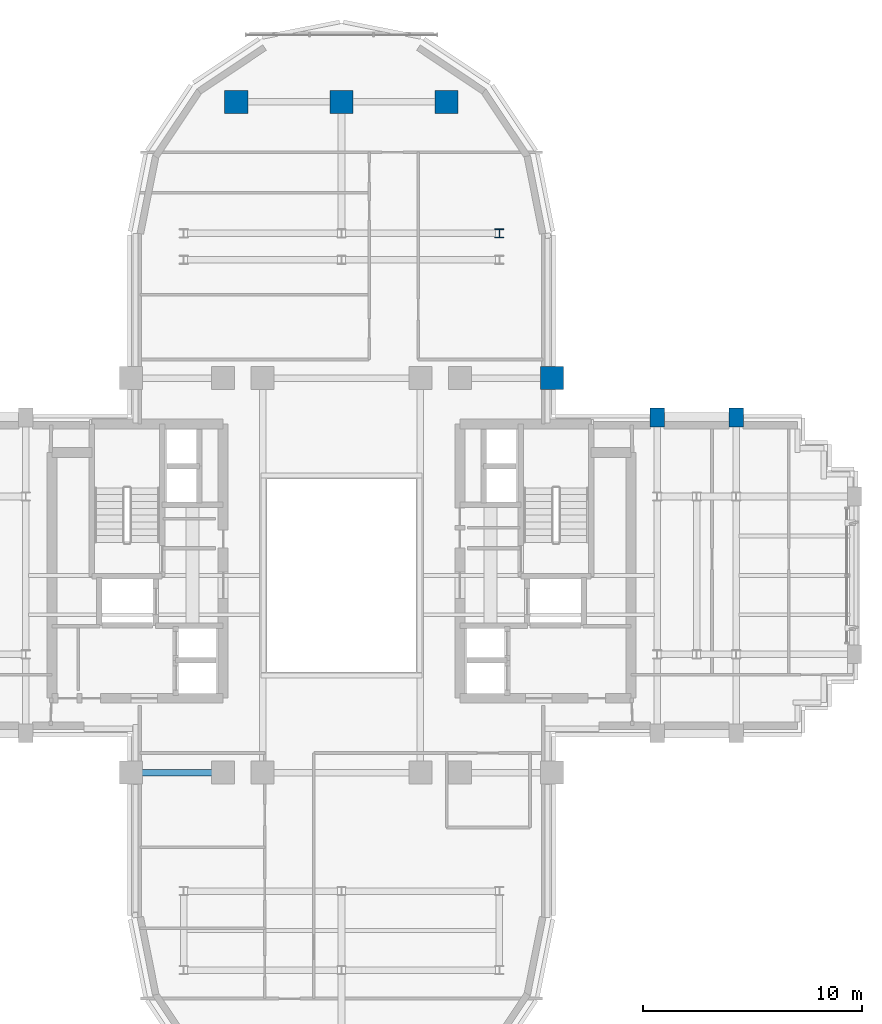
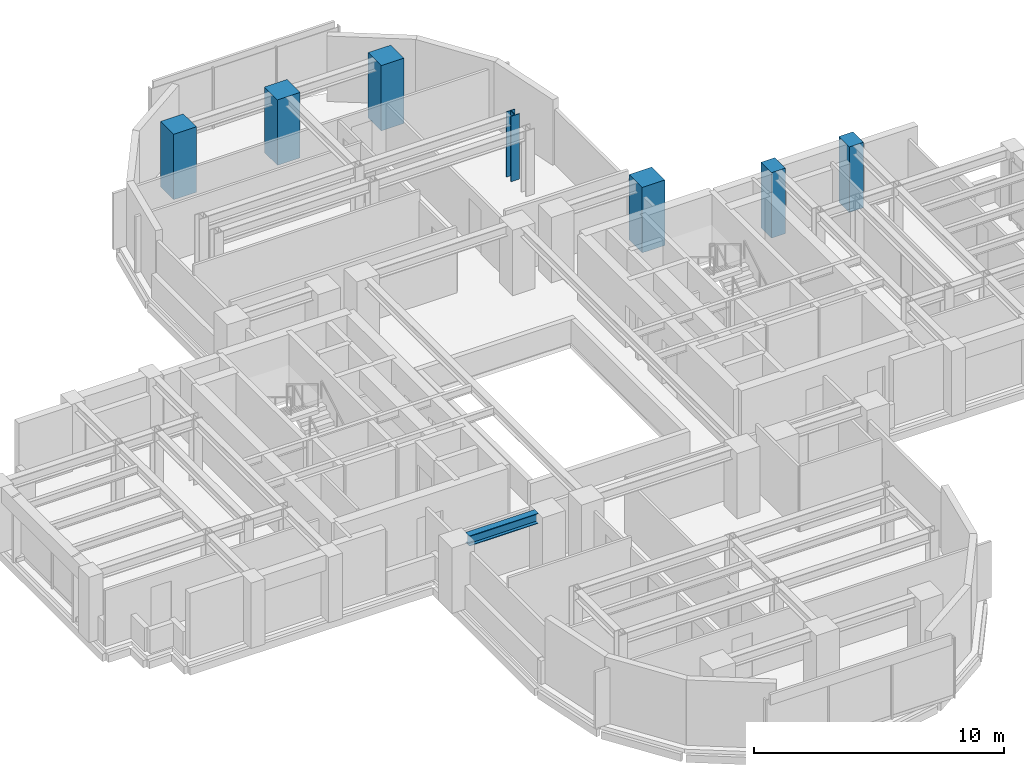
# One storey, part 2 of 14: 7 columns, 1 beam.
"""IFC4 building model written with IfcOpenShell, lengths in metres."""

import ifcopenshell
import ifcopenshell.guid

model = None  # the IFC model being written
_history = None  # IfcOwnerHistory: only IFC2X3 demands one
_inside = {}  # id of a spatial element -> (the spatial element, [elements in it])
_under = {}  # id of a project, library or spatial element -> (it, [spatial elements below it])
_declared = {}  # id of a project -> (the project, [libraries it declares])
_typed = {}  # id of a type object -> (the type object, [elements of that type])
_made_of = {}  # id of a material, layer set ... -> (it, [elements and type objects made of it])


def new_model(schema):
    """Start an empty IFC model of exactly this schema.

    Asked for "IFC4X3", IfcOpenShell would pick the latest addendum, in which some entities
    have other attributes; the version numbers below select the first issue.
    IFC2X3 requires an IfcOwnerHistory on every rooted entity: one is made here for all.
    """
    global model, _history
    if schema == "IFC4X3":
        model = ifcopenshell.file(schema_version=(4, 3, 0, 0))
    else:
        model = ifcopenshell.file(schema=schema)
    _inside.clear()
    _under.clear()
    _declared.clear()
    _typed.clear()
    _made_of.clear()
    _history = None
    if model.schema == "IFC2X3":
        org = make("IfcOrganization", Name="unknown")
        user = make(
            "IfcPersonAndOrganization",
            ThePerson=make("IfcPerson", FamilyName="unknown"),
            TheOrganization=org,
        )
        app = make(
            "IfcApplication",
            ApplicationDeveloper=org,
            Version="unknown",
            ApplicationFullName="unknown",
            ApplicationIdentifier="unknown",
        )
        _history = make(
            "IfcOwnerHistory",
            OwningUser=user,
            OwningApplication=app,
            ChangeAction="ADDED",
            CreationDate=0,
        )
    return model


def make(cls, **values):
    """One entity of the class cls with the attributes given. An attribute that is None is left unset."""
    return model.create_entity(
        cls, **{name: value for name, value in values.items() if value is not None}
    )


def rooted(cls, **values):
    """An entity with a GlobalId (a new one), such as an element, a storey or a relation."""
    return make(cls, GlobalId=ifcopenshell.guid.new(), OwnerHistory=_history, **values)


def si_unit(unit_type, name, prefix=None):
    """IfcSIUnit, for example si_unit("LENGTHUNIT", "METRE", prefix="MILLI")."""
    return make("IfcSIUnit", UnitType=unit_type, Prefix=prefix, Name=name)


def assignment(units):
    """IfcUnitAssignment: the units of a project."""
    return None if units is None else make("IfcUnitAssignment", Units=units)


def point(xyz):
    """IfcCartesianPoint."""
    return None if xyz is None else make("IfcCartesianPoint", Coordinates=xyz)


def direction(xyz):
    """IfcDirection."""
    return None if xyz is None else make("IfcDirection", DirectionRatios=xyz)


def frame(location, z_axis=None, x_axis=None):
    """IfcAxis2Placement3D, a coordinate frame: its origin and axes. An axis left out is left unset."""
    return make(
        "IfcAxis2Placement3D",
        Location=point(location),
        Axis=direction(z_axis),
        RefDirection=direction(x_axis),
    )


def frame_2d(location, x_axis=None):
    """IfcAxis2Placement2D, a coordinate frame in the plane: its origin and x axis."""
    return make(
        "IfcAxis2Placement2D", Location=point(location), RefDirection=direction(x_axis)
    )


def origin():
    """The frame at (0, 0, 0) with its axes left unset."""
    return frame((0.0, 0.0, 0.0))


def origin_2d():
    """The frame at (0, 0) in the plane with its x axis left unset."""
    return frame_2d((0.0, 0.0))


def place(relative_to, where):
    """IfcLocalPlacement: puts the frame where relative to a parent placement (None: the world)."""
    return make(
        "IfcLocalPlacement", PlacementRelTo=relative_to, RelativePlacement=where
    )


def context(
    kind, dimensions, precision=None, world=None, true_north=None, identifier=None
):
    """IfcGeometricRepresentationContext, for example the 3D "Model" context."""
    return make(
        "IfcGeometricRepresentationContext",
        ContextIdentifier=identifier,
        ContextType=kind,
        CoordinateSpaceDimension=dimensions,
        Precision=precision,
        WorldCoordinateSystem=world,
        TrueNorth=true_north,
    )


def subcontext(parent, identifier, kind, view, scale=None):
    """IfcGeometricRepresentationSubContext, for example "Body" below "Model"."""
    return make(
        "IfcGeometricRepresentationSubContext",
        ContextIdentifier=identifier,
        ContextType=kind,
        ParentContext=parent,
        TargetScale=scale,
        TargetView=view,
    )


def project(units=None, contexts=None):
    """IfcProject with its units and contexts."""
    return rooted(
        "IfcProject",
        Name="project",
        RepresentationContexts=contexts,
        UnitsInContext=assignment(units),
    )


def spatial(cls, under=None, at=None, **own):
    """A site, building, storey or space (cls), placed at a placement, below another one or the project."""
    s = rooted(cls, ObjectPlacement=at, **own)
    if under is not None:
        _under.setdefault(under.id(), (under, []))[1].append(s)
    return s


def profile(cls, at=None, kind="AREA", **sizes):
    """A parametric profile (cls). Its sizes go by their IFC names, for example OverallWidth=200.0."""
    return make(cls, ProfileType=kind, Position=at, **sizes)


def rectangle(**sizes):
    """IfcRectangleProfileDef."""
    return profile("IfcRectangleProfileDef", **sizes)


def i_section(**sizes):
    """IfcIShapeProfileDef."""
    return profile("IfcIShapeProfileDef", **sizes)


def extrude(swept, where, along, depth):
    """IfcExtrudedAreaSolid: the profile swept, set in the frame where, extruded along a direction by depth."""
    return make(
        "IfcExtrudedAreaSolid",
        SweptArea=swept,
        Position=where,
        ExtrudedDirection=direction(along),
        Depth=depth,
    )


def shape(context_of_items, identifier, shape_type, items):
    """IfcShapeRepresentation: the items that make up one representation, for example the "Body"."""
    return make(
        "IfcShapeRepresentation",
        ContextOfItems=context_of_items,
        RepresentationIdentifier=identifier,
        RepresentationType=shape_type,
        Items=items,
    )


def source(mapping_origin, context_of_items, identifier, shape_type, items):
    """IfcRepresentationMap: a shape defined once, which mapped items show again and again."""
    return make(
        "IfcRepresentationMap",
        MappingOrigin=mapping_origin,
        MappedRepresentation=shape(context_of_items, identifier, shape_type, items),
    )


def transform(
    local_origin,
    x_axis=None,
    y_axis=None,
    z_axis=None,
    scale=None,
    scale2=None,
    scale3=None,
    uniform=True,
):
    """IfcCartesianTransformationOperator3D, or its non-uniform kind. x_axis, y_axis, z_axis: its Axis1, 2, 3."""
    if uniform:
        return make(
            "IfcCartesianTransformationOperator3D",
            Axis1=direction(x_axis),
            Axis2=direction(y_axis),
            LocalOrigin=point(local_origin),
            Scale=scale,
            Axis3=direction(z_axis),
        )
    return make(
        "IfcCartesianTransformationOperator3DnonUniform",
        Axis1=direction(x_axis),
        Axis2=direction(y_axis),
        LocalOrigin=point(local_origin),
        Scale=scale,
        Axis3=direction(z_axis),
        Scale2=scale2,
        Scale3=scale3,
    )


def mapped(mapping_source, mapping_target):
    """IfcMappedItem: shows the shape of a source again, moved by a transform."""
    return make(
        "IfcMappedItem", MappingSource=mapping_source, MappingTarget=mapping_target
    )


def material(Name=None, Category=None):
    """IfcMaterial."""
    return make("IfcMaterial", Name=Name, Category=Category)


def material_profile(
    of_material, cross_section, Name=None, Category=None, Priority=None
):
    """IfcMaterialProfile: a cross section and its material."""
    return make(
        "IfcMaterialProfile",
        Name=Name,
        Material=of_material,
        Profile=cross_section,
        Priority=Priority,
        Category=Category,
    )


def profile_set(profiles, Name=None, composite=None):
    """IfcMaterialProfileSet."""
    return make(
        "IfcMaterialProfileSet",
        Name=Name,
        MaterialProfiles=profiles,
        CompositeProfile=composite,
    )


def made_of(thing, what):
    """Note that an element or type object is made of a material, layer set ...; save() writes the relation."""
    if what is not None:
        _made_of.setdefault(what.id(), (what, []))[1].append(thing)
    return thing


def type_object(cls, material=None, **own):
    """A type object (cls), such as IfcWallType, which elements share."""
    return made_of(rooted(cls, **own), material)


def element(
    cls,
    number,
    at=None,
    inside=None,
    cuts=None,
    type_object=None,
    material=None,
    context=None,
    identifier="Body",
    shape_type=None,
    held_by="IfcProductDefinitionShape",
    body=None,
    shapes=None,
    **own,
):
    """One element of the class cls, such as IfcWall. Its Tag is "e" and its number.

    at: its placement. inside: the storey or other place that contains it. cuts: it is an
    opening in that element (IfcRelVoidsElement). A single representation is given by context,
    identifier, shape_type and body (its items); several are given by shapes. held_by: the class
    of the entity that holds the representations. save() writes the other relations.
    """
    e = rooted(cls, Tag="e%d" % number, ObjectPlacement=at, **own)
    if body is not None:
        shapes = [shape(context, identifier, shape_type, body)]
    if shapes is not None:
        e.Representation = make(held_by, Representations=shapes)
    if inside is not None:
        _inside.setdefault(inside.id(), (inside, []))[1].append(e)
    if cuts is not None:
        rooted(
            "IfcRelVoidsElement", RelatingBuildingElement=cuts, RelatedOpeningElement=e
        )
    if type_object is not None:
        _typed.setdefault(type_object.id(), (type_object, []))[1].append(e)
    return made_of(e, material)


def aggregate(whole, parts):
    """IfcRelAggregates: a whole, such as a stair, and the parts it consists of."""
    return rooted("IfcRelAggregates", RelatingObject=whole, RelatedObjects=parts)


def save(model, path):
    """Write the relations noted so far, then the file.

    IfcRelAggregates (storeys below a building ...), IfcRelContainedInSpatialStructure (elements
    in a storey), IfcRelDefinesByType, IfcRelAssociatesMaterial and IfcRelDeclares: one each for
    every whole, place, type object, material and project.
    """
    for whole, parts in _under.values():
        aggregate(whole, parts)
    for where, things in _inside.values():
        rooted(
            "IfcRelContainedInSpatialStructure",
            RelatedElements=things,
            RelatingStructure=where,
        )
    for kind, things in _typed.values():
        rooted("IfcRelDefinesByType", RelatedObjects=things, RelatingType=kind)
    for what, things in _made_of.values():
        rooted("IfcRelAssociatesMaterial", RelatedObjects=things, RelatingMaterial=what)
    for by, libraries in _declared.values():
        rooted("IfcRelDeclares", RelatingContext=by, RelatedDefinitions=libraries)
    model.write(path)


model = new_model("IFC4")

# Units and contexts
model_context = context("Model", 3, precision=1e-05, world=origin(), true_north=direction((0.0, 1.0)))
body_context = subcontext(model_context, "Body", "Model", "MODEL_VIEW")
ifc_project = project(units=[si_unit("LENGTHUNIT", "METRE"), si_unit("AREAUNIT", "SQUARE_METRE"), si_unit("VOLUMEUNIT", "CUBIC_METRE"), si_unit("PLANEANGLEUNIT", "RADIAN"), si_unit("MASSUNIT", "GRAM", prefix="KILO")], contexts=[model_context])

# Site, building, storey
site_placement = place(None, origin())
site = spatial("IfcSite", under=ifc_project, at=site_placement, CompositionType="ELEMENT")
building_placement = place(site_placement, origin())
building = spatial("IfcBuilding", under=site, at=building_placement, Name="Keilestroom Media Tower", CompositionType="ELEMENT")
storey_placement = place(building_placement, frame((0.0, 0.0, 127.800048828125)))
storey = spatial("IfcBuildingStorey", under=building, at=storey_placement, Name="L34", CompositionType="ELEMENT", Elevation=127.800048828125)

# Columns
ifc_material_1 = material(Name="Precast concrete C40/50", Category="concrete")
ifc_material_profile_1 = material_profile(ifc_material_1, rectangle(XDim=0.64990234375, YDim=0.85009765625, at=origin_2d()), Name="PC 850x650")
ifc_profile_set_1 = profile_set([ifc_material_profile_1], Name="Precast concrete C40/50")
column_type_1 = type_object("IfcColumnType", Name="Structural-Column-PC-850x650", PredefinedType="COLUMN", material=ifc_profile_set_1)
shared_shape_1 = source(origin(), body_context, "Body", "SweptSolid", [
    extrude(rectangle(XDim=0.64990234375, YDim=0.85009765625, at=origin_2d()), origin(), (0.0, 0.0, 1.0), 3.199951171875),
])
for number, where, z_axis, x_axis, name in (
    (1, (14.39990234375, 7.199951171875, 0.0), (0.0, 0.0, 1.0), (1.0, 0.0, 0.0), "L34 Column PC-2 (+14.4,+7.2)"),
    (2, (18.0, 7.199951171875, 0.0), (0.0, 0.0, 1.0), (1.0, 0.0, 0.0), "L34 Column PC-2 (+18.0,+7.2)"),
):
    element("IfcColumn", number, at=place(storey_placement, frame(where, z_axis=z_axis, x_axis=x_axis)), inside=storey, type_object=column_type_1, Name=name, PredefinedType="COLUMN", context=body_context, shape_type="MappedRepresentation", body=[
        mapped(shared_shape_1, transform((0.0, 0.0, 0.0), x_axis=(1.0, 0.0, 0.0), y_axis=(0.0, 1.0, 0.0), z_axis=(0.0, 0.0, 1.0), scale=1.0)),
    ])
ifc_material_2 = material(Name="Steel S355", Category="steel")
ifc_material_profile_2 = material_profile(ifc_material_2, i_section(OverallWidth=0.40087890625, OverallDepth=0.39892578125, WebThickness=0.02001953125, FlangeThickness=0.031982421875, at=origin_2d()), Name="HD 400x314")
ifc_profile_set_2 = profile_set([ifc_material_profile_2], Name="Steel S355")
column_type_2 = type_object("IfcColumnType", Name="Structural-Column-HD-400x314", PredefinedType="COLUMN", material=ifc_profile_set_2)
shared_shape_2 = source(origin(), body_context, "Body", "SweptSolid", [
    extrude(i_section(OverallWidth=0.40087890625, OverallDepth=0.39892578125, WebThickness=0.02001953125, FlangeThickness=0.031982421875, at=origin_2d()), origin(), (0.0, 0.0, 1.0), 3.199951171875),
])
column_placement = place(storey_placement, frame((7.199951171875, 15.60009765625, 0.0), z_axis=(0.0, 0.0, 1.0), x_axis=(1.0, 0.0, 0.0)))
element("IfcColumn", 3, at=column_placement, inside=storey, type_object=column_type_2, Name="L34 Column SC-3 (+7.2,+15.6)", PredefinedType="COLUMN", context=body_context, shape_type="MappedRepresentation", body=[
    mapped(shared_shape_2, transform((0.0, 0.0, 0.0), x_axis=(1.0, 0.0, 0.0), y_axis=(0.0, 1.0, 0.0), z_axis=(0.0, 0.0, 1.0), scale=1.0)),
])
ifc_material_3 = material(Name="Concrete C55/67", Category="concrete")
ifc_material_profile_3 = material_profile(ifc_material_3, rectangle(XDim=1.050048828125, YDim=1.050048828125, at=origin_2d()), Name="RC 1050x1050")
ifc_profile_set_3 = profile_set([ifc_material_profile_3], Name="Concrete C55/67")
column_type_3 = type_object("IfcColumnType", Name="Structural-Column-RC-1050x1050", PredefinedType="COLUMN", material=ifc_profile_set_3)
shared_shape_3 = source(origin(), body_context, "Body", "SweptSolid", [
    extrude(rectangle(XDim=1.050048828125, YDim=1.050048828125, at=origin_2d()), origin(), (0.0, 0.0, 1.0), 3.199951171875),
])
for number, where, z_axis, x_axis, name in (
    (4, (-4.800048828125, 21.60009765625, 0.0), (0.0, 0.0, 1.0), (1.0, 0.0, 0.0), "L34 Column MC-3 (-4.8,+21.6)"),
    (5, (0.0, 21.60009765625, 0.0), (0.0, 0.0, 1.0), (1.0, 0.0, 0.0), "L34 Column MC-3 (+0.0,+21.6)"),
    (6, (4.800048828125, 21.60009765625, 0.0), (0.0, 0.0, 1.0), (1.0, 0.0, 0.0), "L34 Column MC-3 (+4.8,+21.6)"),
    (7, (9.60009765625, 9.0, 0.0), (0.0, 0.0, 1.0), (1.0, 0.0, 0.0), "L34 Column MC-3 (+9.6,+9.0)"),
):
    element("IfcColumn", number, at=place(storey_placement, frame(where, z_axis=z_axis, x_axis=x_axis)), inside=storey, type_object=column_type_3, Name=name, PredefinedType="COLUMN", context=body_context, shape_type="MappedRepresentation", body=[
        mapped(shared_shape_3, transform((0.0, 0.0, 0.0), x_axis=(1.0, 0.0, 0.0), y_axis=(0.0, 1.0, 0.0), z_axis=(0.0, 0.0, 1.0), scale=1.0)),
    ])

# Beam
ifc_material_profile_4 = material_profile(ifc_material_2, i_section(OverallWidth=0.300048828125, OverallDepth=0.5, WebThickness=0.012451171875, FlangeThickness=0.028076171875, at=origin_2d()), Name="HEB 500")
ifc_profile_set_4 = profile_set([ifc_material_profile_4], Name="Steel S355")
beam_type = type_object("IfcBeamType", Name="Primary-Structural-Girder-HEB-500", PredefinedType="BEAM", material=ifc_profile_set_4)
shared_shape_4 = source(origin(), body_context, "Body", "SweptSolid", [
    extrude(i_section(OverallWidth=0.300048828125, OverallDepth=0.5, WebThickness=0.012451171875, FlangeThickness=0.028076171875, at=origin_2d()), origin(), (0.0, 0.0, 1.0), 3.18994140625),
])
beam_placement = place(storey_placement, frame((-9.094970703125, -9.0, 2.949951171875), z_axis=(1.0, 0.0, 0.0), x_axis=(0.0, 1.0, 0.0)))
element("IfcBeam", 8, at=beam_placement, inside=storey, type_object=beam_type, Name="L34 Beam BG-6 BM-L34-EW-007", PredefinedType="BEAM", context=body_context, shape_type="MappedRepresentation", body=[
    mapped(shared_shape_4, transform((0.0, 0.0, 0.0), x_axis=(1.0, 0.0, 0.0), y_axis=(0.0, 1.0, 0.0), z_axis=(0.0, 0.0, 1.0), scale=1.0)),
])

save(model, "model.ifc")
